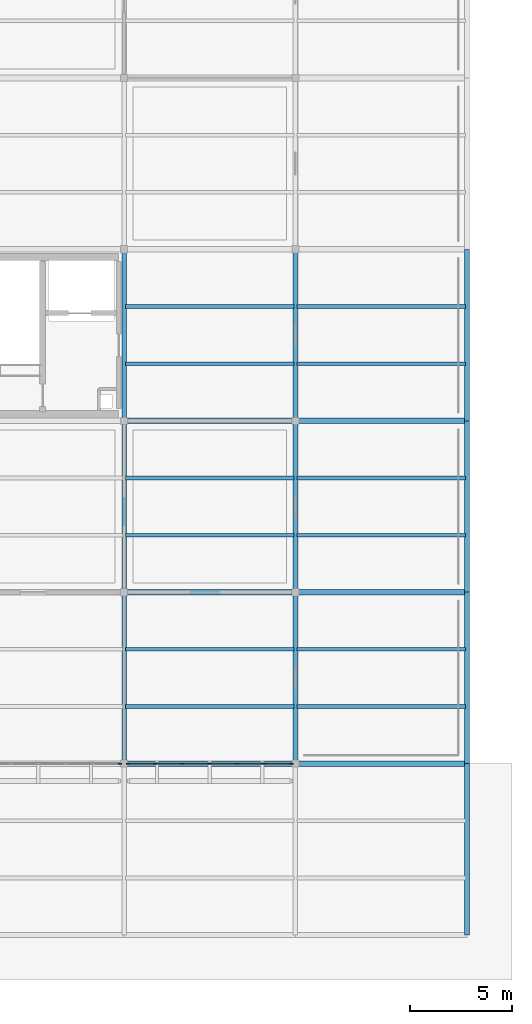
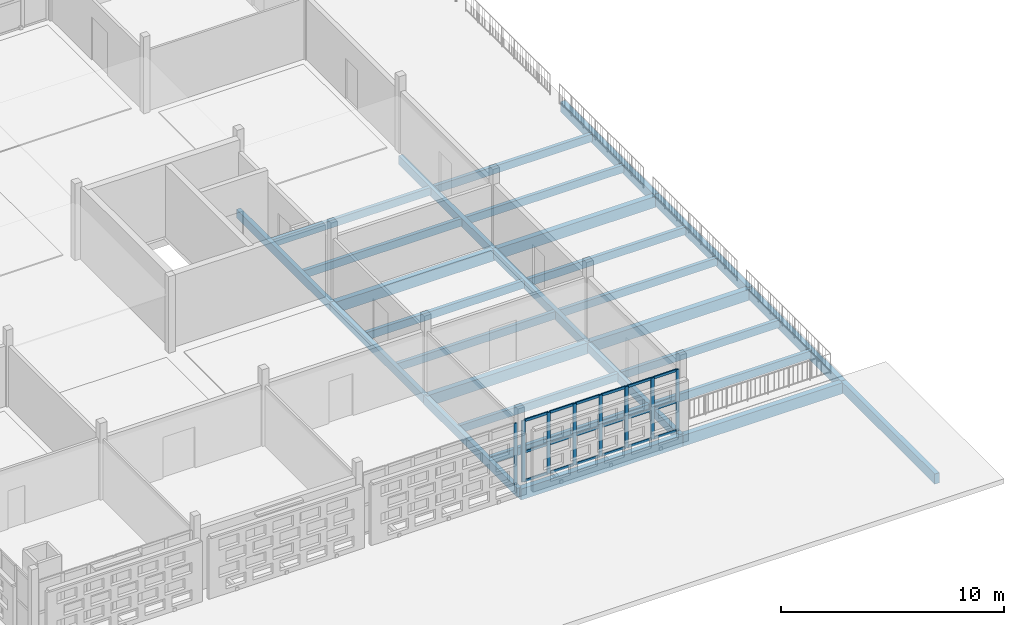
# One storey, part 60 of 166: 28 beams, 26 members, 2 elements without a shape of their own.
"""IFC4 building model written with IfcOpenShell, lengths in metres."""

from ifc_helpers import new_model, si_unit, direction, frame, origin, origin_2d, place, context, subcontext, project, spatial, rectangle, extrude, material, layer, layer_set, material_profile, profile_set, type_object, element, aggregate, save


model = new_model("IFC4")

# Units and contexts
model_context = context("Model", 3, precision=1e-05, world=origin(), true_north=direction((0.0, 1.0)))
body_context = subcontext(model_context, "Body", "Model", "MODEL_VIEW")
ifc_project = project(units=[si_unit("LENGTHUNIT", "METRE"), si_unit("AREAUNIT", "SQUARE_METRE"), si_unit("VOLUMEUNIT", "CUBIC_METRE"), si_unit("PLANEANGLEUNIT", "RADIAN"), si_unit("MASSUNIT", "GRAM", prefix="KILO")], contexts=[model_context])

# Site, building, storey
site_placement = place(None, origin())
site = spatial("IfcSite", under=ifc_project, at=site_placement, CompositionType="ELEMENT")
building_placement = place(site_placement, origin())
building = spatial("IfcBuilding", under=site, at=building_placement, Name="Varnapada Polytechnic", CompositionType="ELEMENT")
storey_placement = place(building_placement, frame((0.0, 0.0, 9.60009765625)))
storey = spatial("IfcBuildingStorey", under=building, at=storey_placement, Name="L02", CompositionType="ELEMENT", Elevation=9.60009765625)

# Curtain wall, member
ifc_material_1 = material(Name="Double low-E laminated glass", Category="glass")
ifc_layer = layer(ifc_material_1, 0.179931640625)
ifc_layer_set = layer_set([ifc_layer], Name="Double low-E laminated glass")
curtain_wall_type = type_object("IfcCurtainWallType", Name="Curtain Wall CW-04", PredefinedType="NOTDEFINED", material=ifc_layer_set)
curtain_wall_1_placement = place(storey_placement, origin())
curtain_wall_1 = element("IfcCurtainWall", 1, at=curtain_wall_1_placement, inside=storey, type_object=curtain_wall_type, Name="L02 unitised curtain wall CW-04 (194)", PredefinedType="NOTDEFINED")
ifc_material_2 = material(Name="Anodised aluminium", Category="aluminium")
ifc_material_profile_1 = material_profile(ifc_material_2, rectangle(XDim=0.06494140625, YDim=0.179931640625, at=origin_2d()), Name="ALU M65x180")
ifc_profile_set_1 = profile_set([ifc_material_profile_1], Name="Anodised aluminium")
member_type_1 = type_object("IfcMemberType", Name="Mullion M-02", PredefinedType="MULLION", material=ifc_profile_set_1)
member_1_placement = place(storey_placement, frame((159.3974609375, 8.39990234375, 0.0), z_axis=(0.0, 0.0, 1.0), x_axis=(0.0, -1.0, 0.0)))
member_1 = element("IfcMember", 2, at=member_1_placement, type_object=member_type_1, Name="CW-04 mullion 1", PredefinedType="MULLION", context=body_context, shape_type="SweptSolid", body=[
    extrude(rectangle(XDim=0.06494140625, YDim=0.179931640625, at=origin_2d()), origin(), (0.0, 0.0, 1.0), 3.35986328125),
])
aggregate(curtain_wall_1, [member_1])

# Curtain wall, members
curtain_wall_2_placement = place(storey_placement, origin())
curtain_wall_2 = element("IfcCurtainWall", 3, at=curtain_wall_2_placement, inside=storey, type_object=curtain_wall_type, Name="L02 unitised curtain wall CW-04 (198)", PredefinedType="NOTDEFINED")
member_2_placement = place(storey_placement, frame((167.797607421875, 8.39990234375, 0.0), z_axis=(0.0, 0.0, 1.0), x_axis=(0.0, -1.0, 0.0)))
member_2 = element("IfcMember", 4, at=member_2_placement, type_object=member_type_1, Name="CW-04 mullion 1", PredefinedType="MULLION", context=body_context, shape_type="SweptSolid", body=[
    extrude(rectangle(XDim=0.06494140625, YDim=0.179931640625, at=origin_2d()), origin(), (0.0, 0.0, 1.0), 3.35986328125),
])
member_3_placement = place(storey_placement, frame((166.486572265625, 8.39990234375, 0.0), z_axis=(0.0, 0.0, 1.0), x_axis=(0.0, -1.0, 0.0)))
member_3 = element("IfcMember", 5, at=member_3_placement, type_object=member_type_1, Name="CW-04 mullion 2", PredefinedType="MULLION", context=body_context, shape_type="SweptSolid", body=[
    extrude(rectangle(XDim=0.06494140625, YDim=0.179931640625, at=origin_2d()), origin(), (0.0, 0.0, 1.0), 3.35986328125),
])
member_4_placement = place(storey_placement, frame((165.143310546875, 8.39990234375, 0.0), z_axis=(0.0, 0.0, 1.0), x_axis=(0.0, -1.0, 0.0)))
member_4 = element("IfcMember", 6, at=member_4_placement, type_object=member_type_1, Name="CW-04 mullion 3", PredefinedType="MULLION", context=body_context, shape_type="SweptSolid", body=[
    extrude(rectangle(XDim=0.06494140625, YDim=0.179931640625, at=origin_2d()), origin(), (0.0, 0.0, 1.0), 3.35986328125),
])
member_5_placement = place(storey_placement, frame((163.800048828125, 8.39990234375, 0.0), z_axis=(0.0, 0.0, 1.0), x_axis=(0.0, -1.0, 0.0)))
member_5 = element("IfcMember", 7, at=member_5_placement, type_object=member_type_1, Name="CW-04 mullion 4", PredefinedType="MULLION", context=body_context, shape_type="SweptSolid", body=[
    extrude(rectangle(XDim=0.06494140625, YDim=0.179931640625, at=origin_2d()), origin(), (0.0, 0.0, 1.0), 3.35986328125),
])
member_6_placement = place(storey_placement, frame((162.456787109375, 8.39990234375, 0.0), z_axis=(0.0, 0.0, 1.0), x_axis=(0.0, -1.0, 0.0)))
member_6 = element("IfcMember", 8, at=member_6_placement, type_object=member_type_1, Name="CW-04 mullion 5", PredefinedType="MULLION", context=body_context, shape_type="SweptSolid", body=[
    extrude(rectangle(XDim=0.06494140625, YDim=0.179931640625, at=origin_2d()), origin(), (0.0, 0.0, 1.0), 3.35986328125),
])
member_7_placement = place(storey_placement, frame((161.11328125, 8.39990234375, 0.0), z_axis=(0.0, 0.0, 1.0), x_axis=(0.0, -1.0, 0.0)))
member_7 = element("IfcMember", 9, at=member_7_placement, type_object=member_type_1, Name="CW-04 mullion 6", PredefinedType="MULLION", context=body_context, shape_type="SweptSolid", body=[
    extrude(rectangle(XDim=0.06494140625, YDim=0.179931640625, at=origin_2d()), origin(), (0.0, 0.0, 1.0), 3.35986328125),
])
member_8_placement = place(storey_placement, frame((159.802490234375, 8.39990234375, 0.0), z_axis=(0.0, 0.0, 1.0), x_axis=(0.0, -1.0, 0.0)))
member_8 = element("IfcMember", 10, at=member_8_placement, type_object=member_type_1, Name="CW-04 mullion 7", PredefinedType="MULLION", context=body_context, shape_type="SweptSolid", body=[
    extrude(rectangle(XDim=0.06494140625, YDim=0.179931640625, at=origin_2d()), origin(), (0.0, 0.0, 1.0), 3.35986328125),
])

# Beams
ifc_material_3 = material(Name="Glulam GL32h", Category="wood")
ifc_material_profile_2 = material_profile(ifc_material_3, rectangle(XDim=0.239990234375, YDim=0.56005859375, at=origin_2d()), Name="GL 240x560")
ifc_profile_set_2 = profile_set([ifc_material_profile_2], Name="Glulam GL32h")
beam_type_1 = type_object("IfcBeamType", Name="Perimeter glulam spandrel beam SP-02 (GL 240x560)", PredefinedType="SPANDREL", material=ifc_profile_set_2)
beam_1_placement = place(storey_placement, frame((176.39990234375, 0.0, -0.550048828125), z_axis=(0.0, 1.0, 0.0), x_axis=(-1.0, 0.0, 0.0)))
element("IfcBeam", 11, at=beam_1_placement, inside=storey, type_object=beam_type_1, Name="L02 beam Y 1-2 at X22", PredefinedType="SPANDREL", context=body_context, shape_type="SweptSolid", body=[
    extrude(rectangle(XDim=0.239990234375, YDim=0.56005859375, at=origin_2d()), origin(), (0.0, 0.0, 1.0), 8.39990234375),
])
beam_2_placement = place(storey_placement, frame((176.39990234375, 8.39990234375, -0.550048828125), z_axis=(0.0, 1.0, 0.0), x_axis=(-1.0, 0.0, 0.0)))
element("IfcBeam", 12, at=beam_2_placement, inside=storey, type_object=beam_type_1, Name="L02 beam Y 2-3 at X22", PredefinedType="SPANDREL", context=body_context, shape_type="SweptSolid", body=[
    extrude(rectangle(XDim=0.239990234375, YDim=0.56005859375, at=origin_2d()), origin(), (0.0, 0.0, 1.0), 8.400146484375),
])
beam_3_placement = place(storey_placement, frame((176.39990234375, 16.800048828125, -0.510009765625), z_axis=(0.0, 1.0, 0.0), x_axis=(-1.0, 0.0, 0.0)))
element("IfcBeam", 13, at=beam_3_placement, inside=storey, type_object=beam_type_1, Name="L02 beam Y 3-4 at X22", PredefinedType="SPANDREL", context=body_context, shape_type="SweptSolid", body=[
    extrude(rectangle(XDim=0.239990234375, YDim=0.56005859375, at=origin_2d()), origin(), (0.0, 0.0, 1.0), 8.39990234375),
])
beam_4_placement = place(storey_placement, frame((176.39990234375, 25.199951171875, -0.510009765625), z_axis=(0.0, 1.0, 0.0), x_axis=(-1.0, 0.0, 0.0)))
element("IfcBeam", 14, at=beam_4_placement, inside=storey, type_object=beam_type_1, Name="L02 beam Y 4-5 at X22", PredefinedType="SPANDREL", context=body_context, shape_type="SweptSolid", body=[
    extrude(rectangle(XDim=0.239990234375, YDim=0.56005859375, at=origin_2d()), origin(), (0.0, 0.0, 1.0), 8.400146484375),
])
ifc_material_profile_3 = material_profile(ifc_material_3, rectangle(XDim=0.280029296875, YDim=0.60009765625, at=origin_2d()), Name="GL 280x600")
ifc_profile_set_3 = profile_set([ifc_material_profile_3], Name="Glulam GL32h")
beam_type_2 = type_object("IfcBeamType", Name="Reading hall glulam girder GG-08 (GL 280x600)", PredefinedType="BEAM", material=ifc_profile_set_3)
for number, where, z_axis, x_axis, name in (
    (15, (159.60009765625, 8.39990234375, -0.570068359375), (1.0, 0.0, 0.0), (0.0, 1.0, 0.0), "L02 beam X 20-21 at Y2"),
    (16, (159.60009765625, 16.800048828125, -0.550048828125), (1.0, 0.0, 0.0), (0.0, 1.0, 0.0), "L02 beam X 20-21 at Y3"),
    (17, (159.60009765625, 25.199951171875, -0.550048828125), (1.0, 0.0, 0.0), (0.0, 1.0, 0.0), "L02 beam X 20-21 at Y4"),
    (18, (168.0, 8.39990234375, -0.570068359375), (1.0, 0.0, 0.0), (0.0, 1.0, 0.0), "L02 beam X 21-22 at Y2"),
    (19, (168.0, 16.800048828125, -0.550048828125), (1.0, 0.0, 0.0), (0.0, 1.0, 0.0), "L02 beam X 21-22 at Y3"),
    (20, (168.0, 25.199951171875, -0.550048828125), (1.0, 0.0, 0.0), (0.0, 1.0, 0.0), "L02 beam X 21-22 at Y4"),
):
    element("IfcBeam", number, at=place(storey_placement, frame(where, z_axis=z_axis, x_axis=x_axis)), inside=storey, type_object=beam_type_2, Name=name, PredefinedType="BEAM", context=body_context, shape_type="SweptSolid", body=[
        extrude(rectangle(XDim=0.280029296875, YDim=0.60009765625, at=origin_2d()), origin(), (0.0, 0.0, 1.0), 8.39990234375),
    ])
ifc_material_profile_4 = material_profile(ifc_material_3, rectangle(XDim=0.179931640625, YDim=0.419921875, at=origin_2d()), Name="GL 180x420")
ifc_profile_set_4 = profile_set([ifc_material_profile_4], Name="Glulam GL32h")
beam_type_3 = type_object("IfcBeamType", Name="Reading hall glulam joist GJ-04 (GL 180x420)", PredefinedType="JOIST", material=ifc_profile_set_4)
for number, where, z_axis, x_axis, name in (
    (21, (159.679931640625, 11.199951171875, -0.460205078125), (1.0, 0.0, 0.0), (0.0, 1.0, 0.0), "L02 floor joist 20/2.1"),
    (22, (159.679931640625, 14.0, -0.460205078125), (1.0, 0.0, 0.0), (0.0, 1.0, 0.0), "L02 floor joist 20/2.2"),
    (23, (159.679931640625, 19.60009765625, -0.460205078125), (1.0, 0.0, 0.0), (0.0, 1.0, 0.0), "L02 floor joist 20/3.1"),
    (24, (159.679931640625, 22.39990234375, -0.460205078125), (1.0, 0.0, 0.0), (0.0, 1.0, 0.0), "L02 floor joist 20/3.2"),
    (25, (159.679931640625, 28.0, -0.460205078125), (1.0, 0.0, 0.0), (0.0, 1.0, 0.0), "L02 floor joist 20/4.1"),
    (26, (159.679931640625, 30.800048828125, -0.460205078125), (1.0, 0.0, 0.0), (0.0, 1.0, 0.0), "L02 floor joist 20/4.2"),
    (27, (168.080078125, 11.199951171875, -0.460205078125), (1.0, 0.0, 0.0), (0.0, 1.0, 0.0), "L02 floor joist 21/2.1"),
    (28, (168.080078125, 14.0, -0.460205078125), (1.0, 0.0, 0.0), (0.0, 1.0, 0.0), "L02 floor joist 21/2.2"),
    (29, (168.080078125, 19.60009765625, -0.460205078125), (1.0, 0.0, 0.0), (0.0, 1.0, 0.0), "L02 floor joist 21/3.1"),
    (30, (168.080078125, 22.39990234375, -0.460205078125), (1.0, 0.0, 0.0), (0.0, 1.0, 0.0), "L02 floor joist 21/3.2"),
    (31, (168.080078125, 28.0, -0.460205078125), (1.0, 0.0, 0.0), (0.0, 1.0, 0.0), "L02 floor joist 21/4.1"),
    (32, (168.080078125, 30.800048828125, -0.460205078125), (1.0, 0.0, 0.0), (0.0, 1.0, 0.0), "L02 floor joist 21/4.2"),
):
    element("IfcBeam", number, at=place(storey_placement, frame(where, z_axis=z_axis, x_axis=x_axis)), inside=storey, type_object=beam_type_3, Name=name, PredefinedType="JOIST", context=body_context, shape_type="SweptSolid", body=[
        extrude(rectangle(XDim=0.179931640625, YDim=0.419921875, at=origin_2d()), origin(), (0.0, 0.0, 1.0), 8.239990234375),
    ])

# Member
ifc_material_profile_5 = material_profile(ifc_material_2, rectangle(XDim=0.06494140625, YDim=0.139892578125, at=origin_2d()), Name="ALU T65x140")
ifc_profile_set_5 = profile_set([ifc_material_profile_5], Name="Anodised aluminium")
member_type_2 = type_object("IfcMemberType", Name="Transom T-02", PredefinedType="USERDEFINED", material=ifc_profile_set_5)
member_9_placement = place(storey_placement, frame((167.764892578125, 8.39990234375, 0.032470703125), z_axis=(-1.0, 0.0, 0.0), x_axis=(0.0, -1.0, 0.0)))
member_9 = element("IfcMember", 33, at=member_9_placement, type_object=member_type_2, Name="CW-04 transom 1.1", ObjectType="TRANSOM", PredefinedType="USERDEFINED", context=body_context, shape_type="SweptSolid", body=[
    extrude(rectangle(XDim=0.06494140625, YDim=0.139892578125, at=origin_2d()), origin(), (0.0, 0.0, 1.0), 1.24560546875),
])

member_10_placement = place(storey_placement, frame((167.764892578125, 8.39990234375, 1.61279296875), z_axis=(-1.0, 0.0, 0.0), x_axis=(0.0, -1.0, 0.0)))
member_10 = element("IfcMember", 34, at=member_10_placement, type_object=member_type_2, Name="CW-04 transom 1.2", ObjectType="TRANSOM", PredefinedType="USERDEFINED", context=body_context, shape_type="SweptSolid", body=[
    extrude(rectangle(XDim=0.06494140625, YDim=0.139892578125, at=origin_2d()), origin(), (0.0, 0.0, 1.0), 1.24560546875),
])

member_11_placement = place(storey_placement, frame((167.764892578125, 8.39990234375, 3.327392578125), z_axis=(-1.0, 0.0, 0.0), x_axis=(0.0, -1.0, 0.0)))
member_11 = element("IfcMember", 35, at=member_11_placement, type_object=member_type_2, Name="CW-04 transom 1.3", ObjectType="TRANSOM", PredefinedType="USERDEFINED", context=body_context, shape_type="SweptSolid", body=[
    extrude(rectangle(XDim=0.06494140625, YDim=0.139892578125, at=origin_2d()), origin(), (0.0, 0.0, 1.0), 1.24560546875),
])

member_12_placement = place(storey_placement, frame((166.4541015625, 8.39990234375, 0.032470703125), z_axis=(-1.0, 0.0, 0.0), x_axis=(0.0, -1.0, 0.0)))
member_12 = element("IfcMember", 36, at=member_12_placement, type_object=member_type_2, Name="CW-04 transom 2.1", ObjectType="TRANSOM", PredefinedType="USERDEFINED", context=body_context, shape_type="SweptSolid", body=[
    extrude(rectangle(XDim=0.06494140625, YDim=0.139892578125, at=origin_2d()), origin(), (0.0, 0.0, 1.0), 1.2783203125),
])

member_13_placement = place(storey_placement, frame((166.4541015625, 8.39990234375, 1.61279296875), z_axis=(-1.0, 0.0, 0.0), x_axis=(0.0, -1.0, 0.0)))
member_13 = element("IfcMember", 37, at=member_13_placement, type_object=member_type_2, Name="CW-04 transom 2.2", ObjectType="TRANSOM", PredefinedType="USERDEFINED", context=body_context, shape_type="SweptSolid", body=[
    extrude(rectangle(XDim=0.06494140625, YDim=0.139892578125, at=origin_2d()), origin(), (0.0, 0.0, 1.0), 1.2783203125),
])

member_14_placement = place(storey_placement, frame((166.4541015625, 8.39990234375, 3.327392578125), z_axis=(-1.0, 0.0, 0.0), x_axis=(0.0, -1.0, 0.0)))
member_14 = element("IfcMember", 38, at=member_14_placement, type_object=member_type_2, Name="CW-04 transom 2.3", ObjectType="TRANSOM", PredefinedType="USERDEFINED", context=body_context, shape_type="SweptSolid", body=[
    extrude(rectangle(XDim=0.06494140625, YDim=0.139892578125, at=origin_2d()), origin(), (0.0, 0.0, 1.0), 1.2783203125),
])

member_15_placement = place(storey_placement, frame((165.11083984375, 8.39990234375, 0.032470703125), z_axis=(-1.0, 0.0, 0.0), x_axis=(0.0, -1.0, 0.0)))
member_15 = element("IfcMember", 39, at=member_15_placement, type_object=member_type_2, Name="CW-04 transom 3.1", ObjectType="TRANSOM", PredefinedType="USERDEFINED", context=body_context, shape_type="SweptSolid", body=[
    extrude(rectangle(XDim=0.06494140625, YDim=0.139892578125, at=origin_2d()), origin(), (0.0, 0.0, 1.0), 1.2783203125),
])

member_16_placement = place(storey_placement, frame((165.11083984375, 8.39990234375, 1.61279296875), z_axis=(-1.0, 0.0, 0.0), x_axis=(0.0, -1.0, 0.0)))
member_16 = element("IfcMember", 40, at=member_16_placement, type_object=member_type_2, Name="CW-04 transom 3.2", ObjectType="TRANSOM", PredefinedType="USERDEFINED", context=body_context, shape_type="SweptSolid", body=[
    extrude(rectangle(XDim=0.06494140625, YDim=0.139892578125, at=origin_2d()), origin(), (0.0, 0.0, 1.0), 1.2783203125),
])

member_17_placement = place(storey_placement, frame((165.11083984375, 8.39990234375, 3.327392578125), z_axis=(-1.0, 0.0, 0.0), x_axis=(0.0, -1.0, 0.0)))
member_17 = element("IfcMember", 41, at=member_17_placement, type_object=member_type_2, Name="CW-04 transom 3.3", ObjectType="TRANSOM", PredefinedType="USERDEFINED", context=body_context, shape_type="SweptSolid", body=[
    extrude(rectangle(XDim=0.06494140625, YDim=0.139892578125, at=origin_2d()), origin(), (0.0, 0.0, 1.0), 1.2783203125),
])

member_18_placement = place(storey_placement, frame((163.767578125, 8.39990234375, 0.032470703125), z_axis=(-1.0, 0.0, 0.0), x_axis=(0.0, -1.0, 0.0)))
member_18 = element("IfcMember", 42, at=member_18_placement, type_object=member_type_2, Name="CW-04 transom 4.1", ObjectType="TRANSOM", PredefinedType="USERDEFINED", context=body_context, shape_type="SweptSolid", body=[
    extrude(rectangle(XDim=0.06494140625, YDim=0.139892578125, at=origin_2d()), origin(), (0.0, 0.0, 1.0), 1.2783203125),
])

member_19_placement = place(storey_placement, frame((163.767578125, 8.39990234375, 1.61279296875), z_axis=(-1.0, 0.0, 0.0), x_axis=(0.0, -1.0, 0.0)))
member_19 = element("IfcMember", 43, at=member_19_placement, type_object=member_type_2, Name="CW-04 transom 4.2", ObjectType="TRANSOM", PredefinedType="USERDEFINED", context=body_context, shape_type="SweptSolid", body=[
    extrude(rectangle(XDim=0.06494140625, YDim=0.139892578125, at=origin_2d()), origin(), (0.0, 0.0, 1.0), 1.2783203125),
])

member_20_placement = place(storey_placement, frame((163.767578125, 8.39990234375, 3.327392578125), z_axis=(-1.0, 0.0, 0.0), x_axis=(0.0, -1.0, 0.0)))
member_20 = element("IfcMember", 44, at=member_20_placement, type_object=member_type_2, Name="CW-04 transom 4.3", ObjectType="TRANSOM", PredefinedType="USERDEFINED", context=body_context, shape_type="SweptSolid", body=[
    extrude(rectangle(XDim=0.06494140625, YDim=0.139892578125, at=origin_2d()), origin(), (0.0, 0.0, 1.0), 1.2783203125),
])

member_21_placement = place(storey_placement, frame((162.424072265625, 8.39990234375, 0.032470703125), z_axis=(-1.0, 0.0, 0.0), x_axis=(0.0, -1.0, 0.0)))
member_21 = element("IfcMember", 45, at=member_21_placement, type_object=member_type_2, Name="CW-04 transom 5.1", ObjectType="TRANSOM", PredefinedType="USERDEFINED", context=body_context, shape_type="SweptSolid", body=[
    extrude(rectangle(XDim=0.06494140625, YDim=0.139892578125, at=origin_2d()), origin(), (0.0, 0.0, 1.0), 1.2783203125),
])

member_22_placement = place(storey_placement, frame((162.424072265625, 8.39990234375, 1.61279296875), z_axis=(-1.0, 0.0, 0.0), x_axis=(0.0, -1.0, 0.0)))
member_22 = element("IfcMember", 46, at=member_22_placement, type_object=member_type_2, Name="CW-04 transom 5.2", ObjectType="TRANSOM", PredefinedType="USERDEFINED", context=body_context, shape_type="SweptSolid", body=[
    extrude(rectangle(XDim=0.06494140625, YDim=0.139892578125, at=origin_2d()), origin(), (0.0, 0.0, 1.0), 1.2783203125),
])

member_23_placement = place(storey_placement, frame((162.424072265625, 8.39990234375, 3.327392578125), z_axis=(-1.0, 0.0, 0.0), x_axis=(0.0, -1.0, 0.0)))
member_23 = element("IfcMember", 47, at=member_23_placement, type_object=member_type_2, Name="CW-04 transom 5.3", ObjectType="TRANSOM", PredefinedType="USERDEFINED", context=body_context, shape_type="SweptSolid", body=[
    extrude(rectangle(XDim=0.06494140625, YDim=0.139892578125, at=origin_2d()), origin(), (0.0, 0.0, 1.0), 1.2783203125),
])

member_24_placement = place(storey_placement, frame((161.080810546875, 8.39990234375, 0.032470703125), z_axis=(-1.0, 0.0, 0.0), x_axis=(0.0, -1.0, 0.0)))
member_24 = element("IfcMember", 48, at=member_24_placement, type_object=member_type_2, Name="CW-04 transom 6.1", ObjectType="TRANSOM", PredefinedType="USERDEFINED", context=body_context, shape_type="SweptSolid", body=[
    extrude(rectangle(XDim=0.06494140625, YDim=0.139892578125, at=origin_2d()), origin(), (0.0, 0.0, 1.0), 1.245849609375),
])

member_25_placement = place(storey_placement, frame((161.080810546875, 8.39990234375, 1.61279296875), z_axis=(-1.0, 0.0, 0.0), x_axis=(0.0, -1.0, 0.0)))
member_25 = element("IfcMember", 49, at=member_25_placement, type_object=member_type_2, Name="CW-04 transom 6.2", ObjectType="TRANSOM", PredefinedType="USERDEFINED", context=body_context, shape_type="SweptSolid", body=[
    extrude(rectangle(XDim=0.06494140625, YDim=0.139892578125, at=origin_2d()), origin(), (0.0, 0.0, 1.0), 1.245849609375),
])

member_26_placement = place(storey_placement, frame((161.080810546875, 8.39990234375, 3.327392578125), z_axis=(-1.0, 0.0, 0.0), x_axis=(0.0, -1.0, 0.0)))
member_26 = element("IfcMember", 50, at=member_26_placement, type_object=member_type_2, Name="CW-04 transom 6.3", ObjectType="TRANSOM", PredefinedType="USERDEFINED", context=body_context, shape_type="SweptSolid", body=[
    extrude(rectangle(XDim=0.06494140625, YDim=0.139892578125, at=origin_2d()), origin(), (0.0, 0.0, 1.0), 1.245849609375),
])

aggregate(curtain_wall_2, [member_2, member_3, member_4, member_5, member_6, member_7, member_8, member_9, member_10, member_11, member_12, member_13, member_14, member_15, member_16, member_17, member_18, member_19, member_20, member_21, member_22, member_23, member_24, member_25, member_26])

# Beams
ifc_material_profile_6 = material_profile(ifc_material_3, rectangle(XDim=0.219970703125, YDim=0.47998046875, at=origin_2d()), Name="GL 220x480")
ifc_profile_set_6 = profile_set([ifc_material_profile_6], Name="Glulam GL32h")
beam_type_4 = type_object("IfcBeamType", Name="Upper floor glulam tie beam GB-11 (GL 220x480)", PredefinedType="BEAM", material=ifc_profile_set_6)
beam_5_placement = place(storey_placement, frame((159.60009765625, 8.39990234375, -0.510009765625), z_axis=(0.0, 1.0, 0.0), x_axis=(-1.0, 0.0, 0.0)))
element("IfcBeam", 51, at=beam_5_placement, inside=storey, type_object=beam_type_4, Name="L02 beam Y 2-3 at X20", PredefinedType="BEAM", context=body_context, shape_type="SweptSolid", body=[
    extrude(rectangle(XDim=0.219970703125, YDim=0.47998046875, at=origin_2d()), origin(), (0.0, 0.0, 1.0), 8.400146484375),
])
beam_6_placement = place(storey_placement, frame((159.60009765625, 16.800048828125, -0.489990234375), z_axis=(0.0, 1.0, 0.0), x_axis=(-1.0, 0.0, 0.0)))
element("IfcBeam", 52, at=beam_6_placement, inside=storey, type_object=beam_type_4, Name="L02 beam Y 3-4 at X20", PredefinedType="BEAM", context=body_context, shape_type="SweptSolid", body=[
    extrude(rectangle(XDim=0.219970703125, YDim=0.47998046875, at=origin_2d()), origin(), (0.0, 0.0, 1.0), 8.39990234375),
])
for number, where, z_axis, x_axis, name in (
    (53, (159.60009765625, 25.199951171875, -0.489990234375), (0.0, 1.0, 0.0), (-1.0, 0.0, 0.0), "L02 beam Y 4-5 at X20"),
    (54, (168.0, 8.39990234375, -0.510009765625), (0.0, 1.0, 0.0), (-1.0, 0.0, 0.0), "L02 beam Y 2-3 at X21"),
):
    element("IfcBeam", number, at=place(storey_placement, frame(where, z_axis=z_axis, x_axis=x_axis)), inside=storey, type_object=beam_type_4, Name=name, PredefinedType="BEAM", context=body_context, shape_type="SweptSolid", body=[
        extrude(rectangle(XDim=0.219970703125, YDim=0.47998046875, at=origin_2d()), origin(), (0.0, 0.0, 1.0), 8.400146484375),
    ])
beam_7_placement = place(storey_placement, frame((168.0, 16.800048828125, -0.489990234375), z_axis=(0.0, 1.0, 0.0), x_axis=(-1.0, 0.0, 0.0)))
element("IfcBeam", 55, at=beam_7_placement, inside=storey, type_object=beam_type_4, Name="L02 beam Y 3-4 at X21", PredefinedType="BEAM", context=body_context, shape_type="SweptSolid", body=[
    extrude(rectangle(XDim=0.219970703125, YDim=0.47998046875, at=origin_2d()), origin(), (0.0, 0.0, 1.0), 8.39990234375),
])
beam_8_placement = place(storey_placement, frame((168.0, 25.199951171875, -0.489990234375), z_axis=(0.0, 1.0, 0.0), x_axis=(-1.0, 0.0, 0.0)))
element("IfcBeam", 56, at=beam_8_placement, inside=storey, type_object=beam_type_4, Name="L02 beam Y 4-5 at X21", PredefinedType="BEAM", context=body_context, shape_type="SweptSolid", body=[
    extrude(rectangle(XDim=0.219970703125, YDim=0.47998046875, at=origin_2d()), origin(), (0.0, 0.0, 1.0), 8.400146484375),
])

save(model, "model.ifc")
